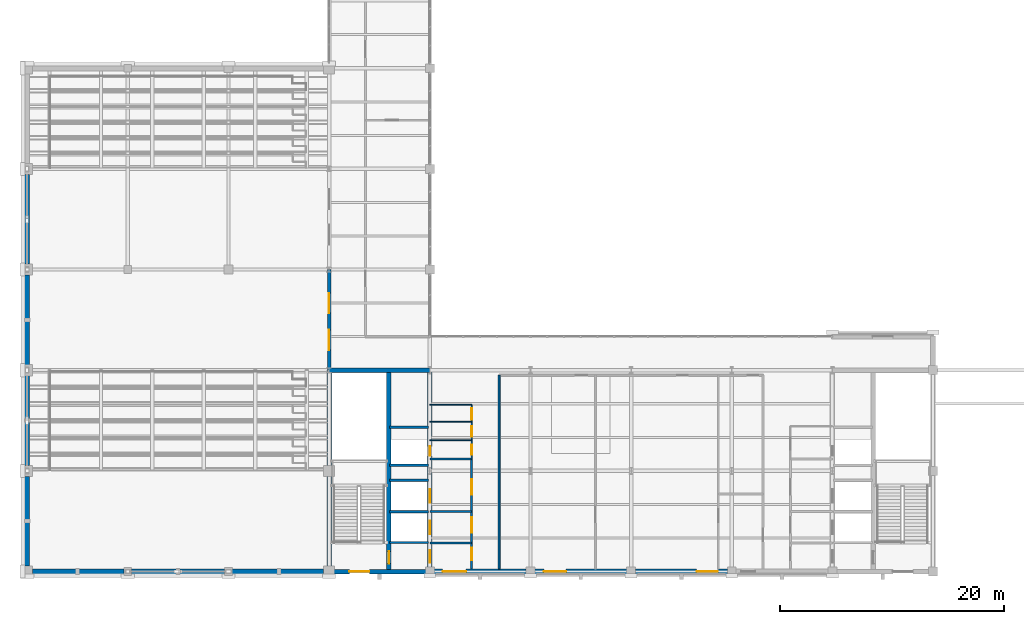
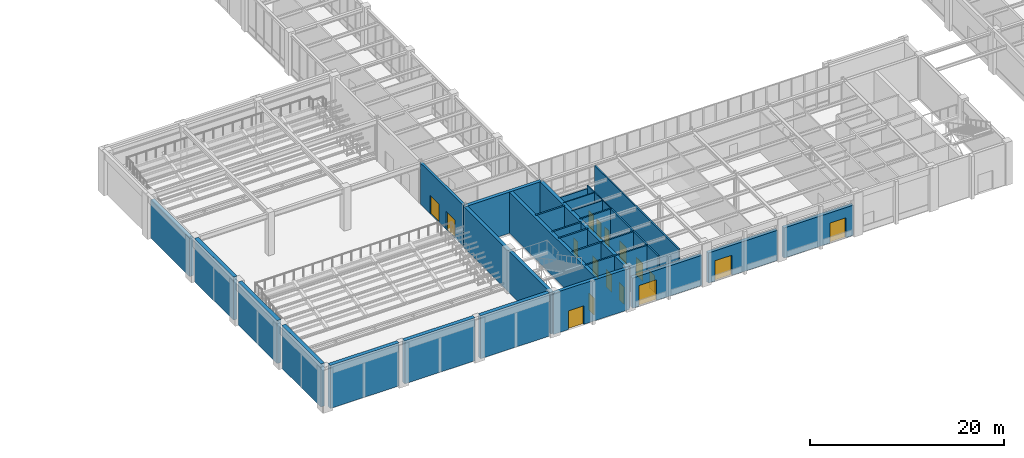
# One storey, part 61 of 77: 30 walls, 17 doors, 17 openings.
"""IFC4 building model written with IfcOpenShell, lengths in metres."""

from ifc_helpers import new_model, si_unit, direction, frame, frame_2d, origin, place, context, subcontext, project, spatial, rectangle, extrude, material, layer, layer_set, type_object, element, fill, save


model = new_model("IFC4")

# Units and contexts
model_context = context("Model", 3, precision=1e-05, world=origin(), true_north=direction((0.0, 1.0)))
body_context = subcontext(model_context, "Body", "Model", "MODEL_VIEW")
ifc_project = project(units=[si_unit("LENGTHUNIT", "METRE"), si_unit("AREAUNIT", "SQUARE_METRE"), si_unit("VOLUMEUNIT", "CUBIC_METRE"), si_unit("PLANEANGLEUNIT", "RADIAN"), si_unit("MASSUNIT", "GRAM", prefix="KILO")], contexts=[model_context])

# Site, building, storey
site_placement = place(None, origin())
site = spatial("IfcSite", under=ifc_project, at=site_placement, CompositionType="ELEMENT")
building_placement = place(site_placement, origin())
building = spatial("IfcBuilding", under=site, at=building_placement, Name="Lykobir Media Centre", CompositionType="ELEMENT")
storey_placement = place(building_placement, origin())
storey = spatial("IfcBuildingStorey", under=building, at=storey_placement, Name="L00", CompositionType="ELEMENT", Elevation=0.0)

# Walls
ifc_material_1 = material(Name="Concrete C35/45", Category="concrete")
ifc_layer_1 = layer(ifc_material_1, 0.4599609375, Name="Concrete C35/45")
ifc_layer_set_1 = layer_set([ifc_layer_1], Name="Concrete C35/45")
wall_type_1 = type_object("IfcWallType", Name="EW-ACO-460", PredefinedType="STANDARD", material=ifc_layer_set_1)
wall_1_placement = place(storey_placement, frame((0.0, 35.514892578125, 0.0), z_axis=(0.0, 0.0, 1.0), x_axis=(0.0, -1.0, 0.0)))
element("IfcWall", 1, at=wall_1_placement, inside=storey, type_object=wall_type_1, Name="Exterior wall WALL-L00-0114", PredefinedType="STANDARD", context=body_context, shape_type="SweptSolid", body=[
    extrude(rectangle(XDim=8.02978515625, YDim=0.4599609375, at=frame_2d((4.014892578125, 0.0))), origin(), (0.0, 0.0, 1.0), 4.794921875),
])
for number, where, z_axis, x_axis, name in (
    (2, (0.0, 8.514892578125, 0.0), (0.0, 0.0, 1.0), (0.0, -1.0, 0.0), "Exterior wall WALL-L00-0116"),
    (3, (0.0, 17.514892578125, 0.0), (0.0, 0.0, 1.0), (0.0, -1.0, 0.0), "Exterior wall WALL-L00-0117"),
    (4, (0.0, 26.514892578125, 0.0), (0.0, 0.0, 1.0), (0.0, -1.0, 0.0), "Exterior wall WALL-L00-0118"),
):
    element("IfcWall", number, at=place(storey_placement, frame(where, z_axis=z_axis, x_axis=x_axis)), inside=storey, type_object=wall_type_1, Name=name, PredefinedType="STANDARD", context=body_context, shape_type="SweptSolid", body=[
        extrude(rectangle(XDim=8.02978515625, YDim=0.4599609375, at=frame_2d((4.014892578125, 0.0))), origin(), (0.0, 0.0, 1.0), 5.39990234375),
    ])
wall_2_placement = place(storey_placement, frame((0.485107421875, 0.0, 0.0), z_axis=(0.0, 0.0, 1.0), x_axis=(1.0, 0.0, 0.0)))
element("IfcWall", 5, at=wall_2_placement, inside=storey, type_object=wall_type_1, Name="Exterior wall WALL-L00-0119", PredefinedType="STANDARD", context=body_context, shape_type="SweptSolid", body=[
    extrude(rectangle(XDim=8.179931640625, YDim=0.4599609375, at=frame_2d((4.08984375, 0.0))), origin(), (0.0, 0.0, 1.0), 5.39990234375),
])
wall_3_placement = place(storey_placement, frame((9.3349609375, 0.0, 0.0), z_axis=(0.0, 0.0, 1.0), x_axis=(1.0, 0.0, 0.0)))
element("IfcWall", 6, at=wall_3_placement, inside=storey, type_object=wall_type_1, Name="Exterior wall WALL-L00-0120", PredefinedType="STANDARD", context=body_context, shape_type="SweptSolid", body=[
    extrude(rectangle(XDim=8.330078125, YDim=0.4599609375, at=frame_2d((4.1650390625, 0.0))), origin(), (0.0, 0.0, 1.0), 5.39990234375),
])
wall_4_placement = place(storey_placement, frame((18.3349609375, 0.0, 0.0), z_axis=(0.0, 0.0, 1.0), x_axis=(1.0, 0.0, 0.0)))
element("IfcWall", 7, at=wall_4_placement, inside=storey, type_object=wall_type_1, Name="Exterior wall WALL-L00-0121", PredefinedType="STANDARD", context=body_context, shape_type="SweptSolid", body=[
    extrude(rectangle(XDim=8.179931640625, YDim=0.4599609375, at=frame_2d((4.08984375, 0.0))), origin(), (0.0, 0.0, 1.0), 5.39990234375),
])

# Wall, opening, door
ifc_material_2 = material(Name="Honed Travertine Stone", Category="masonry")
ifc_layer_2 = layer(ifc_material_2, 0.419921875, Name="Honed Travertine Stone")
ifc_layer_set_2 = layer_set([ifc_layer_2], Name="Honed Travertine Stone")
wall_type_2 = type_object("IfcWallType", Name="EW-TRAV-420", PredefinedType="STANDARD", material=ifc_layer_set_2)
wall_5_placement = place(storey_placement, frame((36.385009765625, 0.0, 0.0), z_axis=(0.0, 0.0, 1.0), x_axis=(1.0, 0.0, 0.0)))
wall_5 = element("IfcWall", 8, at=wall_5_placement, inside=storey, type_object=wall_type_2, Name="Exterior wall WALL-L00-0122", PredefinedType="STANDARD", context=body_context, shape_type="SweptSolid", body=[
    extrude(rectangle(XDim=8.22998046875, YDim=0.419921875, at=frame_2d((4.114990234375, 0.0))), origin(), (0.0, 0.0, 1.0), 3.7900390625),
])
opening_1_placement = place(wall_5_placement, frame((0.764892578125, 0.0, 0.0)))
opening_1 = element("IfcOpeningElement", 9, at=opening_1_placement, cuts=wall_5, Name="Opening D-L00-E01", PredefinedType="OPENING", context=body_context, shape_type="SweptSolid", body=[
    extrude(rectangle(XDim=2.10009765625, YDim=2.60009765625, at=frame_2d((1.050048828125, 1.300048828125))), frame((0.0, 0.219970703125, 0.0), z_axis=(0.0, -1.0, 0.0), x_axis=(1.0, 0.0, 0.0)), (0.0, 0.0, 1.0), 0.43994140625),
])
ifc_material_3 = material(Name="Anodized Aluminium AW-6060", Category="aluminium")
door_type_1 = type_object("IfcDoorType", Name="ED-2100x2600", OperationType="NOTDEFINED", PredefinedType="DOOR", material=ifc_material_3)
door_1_placement = place(opening_1_placement, frame((2.10009765625, 0.0, 0.0), z_axis=(0.0, 0.0, 1.0), x_axis=(-1.0, 0.0, 0.0)))
door_1 = element("IfcDoor", 10, at=door_1_placement, inside=storey, type_object=door_type_1, Name="South Avenue main foyer entrance 1", OperationType="DOUBLE_DOOR_SINGLE_SWING", OverallHeight=2.60009765625, OverallWidth=2.10009765625, PredefinedType="DOOR", context=body_context, shape_type="SweptSolid", body=[
    extrude(rectangle(XDim=2.10009765625, YDim=2.60009765625, at=frame_2d((1.050048828125, 1.300048828125))), frame((0.0, 0.02490234375, 0.0), z_axis=(0.0, -1.0, 0.0), x_axis=(1.0, 0.0, 0.0)), (0.0, 0.0, 1.0), 0.050048828125),
])
fill(opening_1, door_1)

wall_6_placement = place(storey_placement, frame((45.385009765625, 0.0, 0.0), z_axis=(0.0, 0.0, 1.0), x_axis=(1.0, 0.0, 0.0)))
wall_6 = element("IfcWall", 11, at=wall_6_placement, inside=storey, type_object=wall_type_2, Name="Exterior wall WALL-L00-0123", PredefinedType="STANDARD", context=body_context, shape_type="SweptSolid", body=[
    extrude(rectangle(XDim=8.22998046875, YDim=0.419921875, at=frame_2d((4.114990234375, 0.0))), origin(), (0.0, 0.0, 1.0), 3.7900390625),
])
opening_2_placement = place(wall_6_placement, frame((0.81494140625, 0.0, 0.0)))
opening_2 = element("IfcOpeningElement", 12, at=opening_2_placement, cuts=wall_6, Name="Opening D-L00-E02", PredefinedType="OPENING", context=body_context, shape_type="SweptSolid", body=[
    extrude(rectangle(XDim=2.0, YDim=2.550048828125, at=frame_2d((1.0, 1.27490234375))), frame((0.0, 0.219970703125, 0.0), z_axis=(0.0, -1.0, 0.0), x_axis=(1.0, 0.0, 0.0)), (0.0, 0.0, 1.0), 0.43994140625),
])
door_type_2 = type_object("IfcDoorType", Name="ED-2000x2550", OperationType="NOTDEFINED", PredefinedType="DOOR", material=ifc_material_3)
door_2_placement = place(opening_2_placement, frame((2.0, 0.0, 0.0), z_axis=(0.0, 0.0, 1.0), x_axis=(-1.0, 0.0, 0.0)))
door_2 = element("IfcDoor", 13, at=door_2_placement, inside=storey, type_object=door_type_2, Name="South Avenue main foyer entrance 2", OperationType="DOUBLE_DOOR_SINGLE_SWING", OverallHeight=2.550048828125, OverallWidth=2.0, PredefinedType="DOOR", context=body_context, shape_type="SweptSolid", body=[
    extrude(rectangle(XDim=2.0, YDim=2.550048828125, at=frame_2d((1.0, 1.27490234375))), frame((0.0, 0.02490234375, 0.0), z_axis=(0.0, -1.0, 0.0), x_axis=(1.0, 0.0, 0.0)), (0.0, 0.0, 1.0), 0.050048828125),
])
fill(opening_2, door_2)

wall_7_placement = place(storey_placement, frame((54.385009765625, 0.0, 0.0), z_axis=(0.0, 0.0, 1.0), x_axis=(1.0, 0.0, 0.0)))
wall_7 = element("IfcWall", 14, at=wall_7_placement, inside=storey, type_object=wall_type_2, Name="Exterior wall WALL-L00-0124", PredefinedType="STANDARD", context=body_context, shape_type="SweptSolid", body=[
    extrude(rectangle(XDim=8.22998046875, YDim=0.419921875, at=frame_2d((4.114990234375, 0.0))), origin(), (0.0, 0.0, 1.0), 3.7900390625),
])
opening_3_placement = place(wall_7_placement, frame((5.465087890625, 0.0, 0.0)))
opening_3 = element("IfcOpeningElement", 15, at=opening_3_placement, cuts=wall_7, Name="Opening D-L00-E03", PredefinedType="OPENING", context=body_context, shape_type="SweptSolid", body=[
    extrude(rectangle(XDim=1.89990234375, YDim=2.5, at=frame_2d((0.949951171875, 1.25))), frame((0.0, 0.219970703125, 0.0), z_axis=(0.0, -1.0, 0.0), x_axis=(1.0, 0.0, 0.0)), (0.0, 0.0, 1.0), 0.43994140625),
])
door_type_3 = type_object("IfcDoorType", Name="ED-1900x2500", OperationType="NOTDEFINED", PredefinedType="DOOR", material=ifc_material_3)
door_3_placement = place(opening_3_placement, frame((1.89990234375, 0.0, 0.0), z_axis=(0.0, 0.0, 1.0), x_axis=(-1.0, 0.0, 0.0)))
door_3 = element("IfcDoor", 16, at=door_3_placement, inside=storey, type_object=door_type_3, Name="South Avenue main foyer entrance 3", OperationType="DOUBLE_DOOR_SINGLE_SWING", OverallHeight=2.5, OverallWidth=1.89990234375, PredefinedType="DOOR", context=body_context, shape_type="SweptSolid", body=[
    extrude(rectangle(XDim=1.89990234375, YDim=2.5, at=frame_2d((0.949951171875, 1.25))), frame((0.0, 0.02490234375, 0.0), z_axis=(0.0, -1.0, 0.0), x_axis=(1.0, 0.0, 0.0)), (0.0, 0.0, 1.0), 0.050048828125),
])
fill(opening_3, door_3)

# Wall
ifc_material_4 = material(Name="Acoustic Gypsum Board", Category="gypsum")
ifc_layer_3 = layer(ifc_material_4, 0.159912109375, Name="Acoustic Gypsum Board")
ifc_layer_set_3 = layer_set([ifc_layer_3], Name="Acoustic Gypsum Board")
wall_type_3 = type_object("IfcWallType", Name="IW-COR-160", PredefinedType="PARTITIONING", material=ifc_layer_set_3)
wall_8_placement = place(storey_placement, frame((42.199951171875, 0.219970703125, 0.0), z_axis=(0.0, 0.0, 1.0), x_axis=(0.0, 1.0, 0.0)))
element("IfcWall", 17, at=wall_8_placement, inside=storey, type_object=wall_type_3, Name="Wall IWALL-L00-0654", PredefinedType="PARTITIONING", context=body_context, shape_type="SweptSolid", body=[
    extrude(rectangle(XDim=17.330078125, YDim=0.159912109375, at=frame_2d((8.6650390625, 0.0))), origin(), (0.0, 0.0, 1.0), 5.159912109375),
])

# Wall, openings, doors
ifc_layer_4 = layer(ifc_material_4, 0.179931640625, Name="Acoustic Gypsum Board")
ifc_layer_set_4 = layer_set([ifc_layer_4], Name="Acoustic Gypsum Board")
wall_type_4 = type_object("IfcWallType", Name="IW-FFLOB-180", PredefinedType="PARTITIONING", material=ifc_layer_set_4)
wall_9_placement = place(storey_placement, frame((39.75, 0.219970703125, 0.0), z_axis=(0.0, 0.0, 1.0), x_axis=(0.0, 1.0, 0.0)))
wall_9 = element("IfcWall", 18, at=wall_9_placement, inside=storey, type_object=wall_type_4, Name="Wall IWALL-L00-0029", PredefinedType="PARTITIONING", context=body_context, shape_type="SweptSolid", body=[
    extrude(rectangle(XDim=9.830078125, YDim=0.179931640625, at=frame_2d((4.9150390625, 0.0))), origin(), (0.0, 0.0, 1.0), 5.159912109375),
])
opening_4_placement = place(wall_9_placement, frame((0.800048828125, 0.0, 0.0)))
opening_4 = element("IfcOpeningElement", 19, at=opening_4_placement, cuts=wall_9, Name="Opening D-L00-C1LV", PredefinedType="OPENING", context=body_context, shape_type="SweptSolid", body=[
    extrude(rectangle(XDim=1.10009765625, YDim=2.159912109375, at=frame_2d((0.550048828125, 1.080078125))), frame((0.0, 0.099853515625, 0.0), z_axis=(0.0, -1.0, 0.0), x_axis=(1.0, 0.0, 0.0)), (0.0, 0.0, 1.0), 0.199951171875),
])
opening_5_placement = place(wall_9_placement, frame((3.25, 0.0, 0.0)))
opening_5 = element("IfcOpeningElement", 20, at=opening_5_placement, cuts=wall_9, Name="Opening D-L00-C1PL", PredefinedType="OPENING", context=body_context, shape_type="SweptSolid", body=[
    extrude(rectangle(XDim=1.39990234375, YDim=2.199951171875, at=frame_2d((0.699951171875, 1.10009765625))), frame((0.0, 0.099853515625, 0.0), z_axis=(0.0, -1.0, 0.0), x_axis=(1.0, 0.0, 0.0)), (0.0, 0.0, 1.0), 0.199951171875),
])
opening_6_placement = place(wall_9_placement, frame((6.64990234375, 0.0, 0.0)))
opening_6 = element("IfcOpeningElement", 21, at=opening_6_placement, cuts=wall_9, Name="Opening D-L00-C1FF", PredefinedType="OPENING", context=body_context, shape_type="SweptSolid", body=[
    extrude(rectangle(XDim=1.39990234375, YDim=2.199951171875, at=frame_2d((0.699951171875, 1.10009765625))), frame((0.0, 0.099853515625, 0.0), z_axis=(0.0, -1.0, 0.0), x_axis=(1.0, 0.0, 0.0)), (0.0, 0.0, 1.0), 0.199951171875),
])
ifc_material_5 = material(Name="Acoustic Timber Panelling", Category="wood")
door_type_4 = type_object("IfcDoorType", Name="FD-1100x2160", OperationType="NOTDEFINED", PredefinedType="DOOR", material=ifc_material_5)
door_4_placement = place(opening_4_placement, origin())
door_4 = element("IfcDoor", 22, at=door_4_placement, inside=storey, type_object=door_type_4, Name="Door D-L00-C1LV", OperationType="SINGLE_SWING_LEFT", OverallHeight=2.159912109375, OverallWidth=1.10009765625, PredefinedType="DOOR", context=body_context, shape_type="SweptSolid", body=[
    extrude(rectangle(XDim=1.10009765625, YDim=2.159912109375, at=frame_2d((0.550048828125, 1.080078125))), frame((0.0, 0.02490234375, 0.0), z_axis=(0.0, -1.0, 0.0), x_axis=(1.0, 0.0, 0.0)), (0.0, 0.0, 1.0), 0.050048828125),
])
fill(opening_4, door_4)
door_type_5 = type_object("IfcDoorType", Name="FD-1400x2200", OperationType="NOTDEFINED", PredefinedType="DOOR", material=ifc_material_5)
door_5_placement = place(opening_5_placement, origin())
door_5 = element("IfcDoor", 23, at=door_5_placement, inside=storey, type_object=door_type_5, Name="Door D-L00-C1PL", OperationType="DOUBLE_DOOR_SINGLE_SWING", OverallHeight=2.199951171875, OverallWidth=1.39990234375, PredefinedType="DOOR", context=body_context, shape_type="SweptSolid", body=[
    extrude(rectangle(XDim=1.39990234375, YDim=2.199951171875, at=frame_2d((0.699951171875, 1.10009765625))), frame((0.0, 0.02490234375, 0.0), z_axis=(0.0, -1.0, 0.0), x_axis=(1.0, 0.0, 0.0)), (0.0, 0.0, 1.0), 0.050048828125),
])
fill(opening_5, door_5)
door_6_placement = place(opening_6_placement, origin())
door_6 = element("IfcDoor", 24, at=door_6_placement, inside=storey, type_object=door_type_5, Name="Door D-L00-C1FF", OperationType="DOUBLE_DOOR_SINGLE_SWING", OverallHeight=2.199951171875, OverallWidth=1.39990234375, PredefinedType="DOOR", context=body_context, shape_type="SweptSolid", body=[
    extrude(rectangle(XDim=1.39990234375, YDim=2.199951171875, at=frame_2d((0.699951171875, 1.10009765625))), frame((0.0, 0.02490234375, 0.0), z_axis=(0.0, -1.0, 0.0), x_axis=(1.0, 0.0, 0.0)), (0.0, 0.0, 1.0), 0.050048828125),
])
fill(opening_6, door_6)

# Walls
for number, where, z_axis, x_axis, name in (
    (25, (36.0, 2.550048828125, 0.0), (0.0, 0.0, 1.0), (1.0, 0.0, 0.0), "Wall IWALL-L00-0030"),
    (26, (36.0, 5.35009765625, 0.0), (0.0, 0.0, 1.0), (1.0, 0.0, 0.0), "Wall IWALL-L00-0031"),
    (27, (36.0, 10.050048828125, 0.0), (0.0, 0.0, 1.0), (1.0, 0.0, 0.0), "Wall IWALL-L00-0032"),
):
    element("IfcWall", number, at=place(storey_placement, frame(where, z_axis=z_axis, x_axis=x_axis)), inside=storey, type_object=wall_type_4, Name=name, PredefinedType="PARTITIONING", context=body_context, shape_type="SweptSolid", body=[
        extrude(rectangle(XDim=3.75, YDim=0.179931640625, at=frame_2d((1.875, 0.0))), origin(), (0.0, 0.0, 1.0), 5.159912109375),
    ])
ifc_material_6 = material(Name="Concrete C30/37", Category="concrete")
ifc_layer_5 = layer(ifc_material_6, 0.199951171875, Name="Concrete C30/37")
ifc_layer_set_5 = layer_set([ifc_layer_5], Name="Concrete C30/37")
wall_type_5 = type_object("IfcWallType", Name="IW-SHAFT-200", PredefinedType="PARTITIONING", material=ifc_layer_set_5)
for number, where, z_axis, x_axis, name in (
    (28, (32.39990234375, 2.60009765625, 0.0), (0.0, 0.0, 1.0), (1.0, 0.0, 0.0), "Wall IWALL-L00-0024"),
    (29, (32.39990234375, 5.35009765625, 0.0), (0.0, 0.0, 1.0), (1.0, 0.0, 0.0), "Wall IWALL-L00-0025"),
    (30, (32.39990234375, 8.14990234375, 0.0), (0.0, 0.0, 1.0), (1.0, 0.0, 0.0), "Wall IWALL-L00-0026"),
    (31, (32.39990234375, 9.5, 0.0), (0.0, 0.0, 1.0), (1.0, 0.0, 0.0), "Wall IWALL-L00-0027"),
    (32, (32.39990234375, 12.89990234375, 0.0), (0.0, 0.0, 1.0), (1.0, 0.0, 0.0), "Wall IWALL-L00-0028"),
):
    element("IfcWall", number, at=place(storey_placement, frame(where, z_axis=z_axis, x_axis=x_axis)), inside=storey, type_object=wall_type_5, Name=name, PredefinedType="PARTITIONING", context=body_context, shape_type="SweptSolid", body=[
        extrude(rectangle(XDim=3.5, YDim=0.199951171875, at=frame_2d((1.75, 0.0))), origin(), (0.0, 0.0, 1.0), 5.159912109375),
    ])

# Wall, openings, doors
ifc_layer_6 = layer(ifc_material_4, 0.094970703125, Name="Acoustic Gypsum Board")
ifc_layer_set_6 = layer_set([ifc_layer_6], Name="Acoustic Gypsum Board")
wall_type_6 = type_object("IfcWallType", Name="IW-WC-095", PredefinedType="PARTITIONING", material=ifc_layer_set_6)
wall_10_placement = place(storey_placement, frame((39.75, 10.050048828125, 0.0), z_axis=(0.0, 0.0, 1.0), x_axis=(0.0, 1.0, 0.0)))
wall_10 = element("IfcWall", 33, at=wall_10_placement, inside=storey, type_object=wall_type_6, Name="Wall IWALL-L00-0033", PredefinedType="PARTITIONING", context=body_context, shape_type="SweptSolid", body=[
    extrude(rectangle(XDim=4.849853515625, YDim=0.094970703125, at=frame_2d((2.4248046875, 0.0))), origin(), (0.0, 0.0, 1.0), 5.159912109375),
])
opening_7_placement = place(wall_10_placement, frame((0.3798828125, 0.0, 0.0)))
opening_7 = element("IfcOpeningElement", 34, at=opening_7_placement, cuts=wall_10, Name="Opening D-L00-WCM", PredefinedType="OPENING", context=body_context, shape_type="SweptSolid", body=[
    extrude(rectangle(XDim=0.919921875, YDim=2.10009765625, at=frame_2d((0.4599609375, 1.050048828125))), frame((0.0, 0.057373046875, 0.0), z_axis=(0.0, -1.0, 0.0), x_axis=(1.0, 0.0, 0.0)), (0.0, 0.0, 1.0), 0.114990234375),
])
opening_8_placement = place(wall_10_placement, frame((2.02001953125, 0.0, 0.0)))
opening_8 = element("IfcOpeningElement", 35, at=opening_8_placement, cuts=wall_10, Name="Opening D-L00-WCF", PredefinedType="OPENING", context=body_context, shape_type="SweptSolid", body=[
    extrude(rectangle(XDim=0.919921875, YDim=2.10009765625, at=frame_2d((0.4599609375, 1.050048828125))), frame((0.0, 0.057373046875, 0.0), z_axis=(0.0, -1.0, 0.0), x_axis=(1.0, 0.0, 0.0)), (0.0, 0.0, 1.0), 0.114990234375),
])
opening_9_placement = place(wall_10_placement, frame((3.52001953125, 0.0, 0.0)))
opening_9 = element("IfcOpeningElement", 36, at=opening_9_placement, cuts=wall_10, Name="Opening D-L00-WCA1", PredefinedType="OPENING", context=body_context, shape_type="SweptSolid", body=[
    extrude(rectangle(XDim=1.050048828125, YDim=2.1298828125, at=frame_2d((0.52490234375, 1.06494140625))), frame((0.0, 0.057373046875, 0.0), z_axis=(0.0, -1.0, 0.0), x_axis=(1.0, 0.0, 0.0)), (0.0, 0.0, 1.0), 0.114990234375),
])
door_type_6 = type_object("IfcDoorType", Name="ID-0920x2100", OperationType="NOTDEFINED", PredefinedType="DOOR", material=ifc_material_5)
door_7_placement = place(opening_7_placement, origin())
door_7 = element("IfcDoor", 37, at=door_7_placement, inside=storey, type_object=door_type_6, Name="Door D-L00-WCM", OperationType="SINGLE_SWING_RIGHT", OverallHeight=2.10009765625, OverallWidth=0.919921875, PredefinedType="DOOR", context=body_context, shape_type="SweptSolid", body=[
    extrude(rectangle(XDim=0.919921875, YDim=2.10009765625, at=frame_2d((0.4599609375, 1.050048828125))), frame((0.0, 0.02490234375, 0.0), z_axis=(0.0, -1.0, 0.0), x_axis=(1.0, 0.0, 0.0)), (0.0, 0.0, 1.0), 0.050048828125),
])
fill(opening_7, door_7)
door_8_placement = place(opening_8_placement, origin())
door_8 = element("IfcDoor", 38, at=door_8_placement, inside=storey, type_object=door_type_6, Name="Door D-L00-WCF", OperationType="SINGLE_SWING_LEFT", OverallHeight=2.10009765625, OverallWidth=0.919921875, PredefinedType="DOOR", context=body_context, shape_type="SweptSolid", body=[
    extrude(rectangle(XDim=0.919921875, YDim=2.10009765625, at=frame_2d((0.4599609375, 1.050048828125))), frame((0.0, 0.02490234375, 0.0), z_axis=(0.0, -1.0, 0.0), x_axis=(1.0, 0.0, 0.0)), (0.0, 0.0, 1.0), 0.050048828125),
])
fill(opening_8, door_8)
door_type_7 = type_object("IfcDoorType", Name="ID-1050x2130", OperationType="NOTDEFINED", PredefinedType="DOOR", material=ifc_material_5)
door_9_placement = place(opening_9_placement, origin())
door_9 = element("IfcDoor", 39, at=door_9_placement, inside=storey, type_object=door_type_7, Name="Door D-L00-WCA1", OperationType="SINGLE_SWING_RIGHT", OverallHeight=2.1298828125, OverallWidth=1.050048828125, PredefinedType="DOOR", context=body_context, shape_type="SweptSolid", body=[
    extrude(rectangle(XDim=1.050048828125, YDim=2.1298828125, at=frame_2d((0.52490234375, 1.06494140625))), frame((0.0, 0.02490234375, 0.0), z_axis=(0.0, -1.0, 0.0), x_axis=(1.0, 0.0, 0.0)), (0.0, 0.0, 1.0), 0.050048828125),
])
fill(opening_9, door_9)

# Walls
for number, where, z_axis, x_axis, name in (
    (40, (36.0, 11.719970703125, 0.0), (0.0, 0.0, 1.0), (1.0, 0.0, 0.0), "Wall IWALL-L00-0034"),
    (41, (36.0, 13.3798828125, 0.0), (0.0, 0.0, 1.0), (1.0, 0.0, 0.0), "Wall IWALL-L00-0035"),
):
    element("IfcWall", number, at=place(storey_placement, frame(where, z_axis=z_axis, x_axis=x_axis)), inside=storey, type_object=wall_type_6, Name=name, PredefinedType="PARTITIONING", context=body_context, shape_type="SweptSolid", body=[
        extrude(rectangle(XDim=3.75, YDim=0.094970703125, at=frame_2d((1.875, 0.0))), origin(), (0.0, 0.0, 1.0), 5.159912109375),
    ])
wall_11_placement = place(storey_placement, frame((36.0, 14.89990234375, 0.0), z_axis=(0.0, 0.0, 1.0), x_axis=(1.0, 0.0, 0.0)))
element("IfcWall", 42, at=wall_11_placement, inside=storey, type_object=wall_type_6, Name="Wall IWALL-L00-0036", PredefinedType="PARTITIONING", context=body_context, shape_type="SweptSolid", body=[
    extrude(rectangle(XDim=3.75, YDim=0.094970703125, at=frame_2d((1.875, 0.0))), origin(), (0.0, 0.0, 1.0), 4.7451171875),
])

# Wall, openings, doors
ifc_material_7 = material(Name="Concrete C40/50", Category="concrete")
ifc_layer_7 = layer(ifc_material_7, 0.300048828125, Name="Concrete C40/50")
ifc_layer_set_7 = layer_set([ifc_layer_7], Name="Concrete C40/50")
wall_type_7 = type_object("IfcWallType", Name="SW-COMP-300", PredefinedType="SHEAR", material=ifc_layer_set_7)
wall_12_placement = place(storey_placement, frame((27.0, 18.0, 0.0), z_axis=(0.0, 0.0, 1.0), x_axis=(0.0, 1.0, 0.0)))
wall_12 = element("IfcWall", 43, at=wall_12_placement, inside=storey, type_object=wall_type_7, Name="Wall IWALL-L00-0662", PredefinedType="SHEAR", context=body_context, shape_type="SweptSolid", body=[
    extrude(rectangle(XDim=9.0, YDim=0.300048828125, at=frame_2d((4.5, 0.0))), origin(), (0.0, 0.0, 1.0), 5.159912109375),
])
opening_10_placement = place(wall_12_placement, frame((1.800048828125, 0.0, 0.0)))
opening_10 = element("IfcOpeningElement", 44, at=opening_10_placement, cuts=wall_12, Name="Opening D-L00-SCR1A", PredefinedType="OPENING", context=body_context, shape_type="SweptSolid", body=[
    extrude(rectangle(XDim=1.800048828125, YDim=2.280029296875, at=frame_2d((0.89990234375, 1.14013671875))), frame((0.0, 0.159912109375, 0.0), z_axis=(0.0, -1.0, 0.0), x_axis=(1.0, 0.0, 0.0)), (0.0, 0.0, 1.0), 0.320068359375),
])
opening_11_placement = place(wall_12_placement, frame((5.10009765625, 0.0, 0.0)))
opening_11 = element("IfcOpeningElement", 45, at=opening_11_placement, cuts=wall_12, Name="Opening D-L00-SCR1B", PredefinedType="OPENING", context=body_context, shape_type="SweptSolid", body=[
    extrude(rectangle(XDim=1.800048828125, YDim=2.280029296875, at=frame_2d((0.89990234375, 1.14013671875))), frame((0.0, 0.159912109375, 0.0), z_axis=(0.0, -1.0, 0.0), x_axis=(1.0, 0.0, 0.0)), (0.0, 0.0, 1.0), 0.320068359375),
])
door_type_8 = type_object("IfcDoorType", Name="FD-1800x2280", OperationType="NOTDEFINED", PredefinedType="DOOR", material=ifc_material_5)
door_10_placement = place(opening_10_placement, origin())
door_10 = element("IfcDoor", 46, at=door_10_placement, inside=storey, type_object=door_type_8, Name="Door D-L00-SCR1A", OperationType="DOUBLE_DOOR_SINGLE_SWING", OverallHeight=2.280029296875, OverallWidth=1.800048828125, PredefinedType="DOOR", context=body_context, shape_type="SweptSolid", body=[
    extrude(rectangle(XDim=1.800048828125, YDim=2.280029296875, at=frame_2d((0.89990234375, 1.14013671875))), frame((0.0, 0.02490234375, 0.0), z_axis=(0.0, -1.0, 0.0), x_axis=(1.0, 0.0, 0.0)), (0.0, 0.0, 1.0), 0.050048828125),
])
fill(opening_10, door_10)
door_11_placement = place(opening_11_placement, origin())
door_11 = element("IfcDoor", 47, at=door_11_placement, inside=storey, type_object=door_type_8, Name="Door D-L00-SCR1B", OperationType="DOUBLE_DOOR_SINGLE_SWING", OverallHeight=2.280029296875, OverallWidth=1.800048828125, PredefinedType="DOOR", context=body_context, shape_type="SweptSolid", body=[
    extrude(rectangle(XDim=1.800048828125, YDim=2.280029296875, at=frame_2d((0.89990234375, 1.14013671875))), frame((0.0, 0.02490234375, 0.0), z_axis=(0.0, -1.0, 0.0), x_axis=(1.0, 0.0, 0.0)), (0.0, 0.0, 1.0), 0.050048828125),
])
fill(opening_11, door_11)

ifc_layer_8 = layer(ifc_material_7, 0.39990234375, Name="Concrete C40/50")
ifc_layer_set_8 = layer_set([ifc_layer_8], Name="Concrete C40/50")
wall_type_8 = type_object("IfcWallType", Name="SW-CORE-400", PredefinedType="SHEAR", material=ifc_layer_set_8)
wall_13_placement = place(storey_placement, frame((36.0, 0.0, 0.0), z_axis=(0.0, 0.0, 1.0), x_axis=(0.0, 1.0, 0.0)))
wall_13 = element("IfcWall", 48, at=wall_13_placement, inside=storey, type_object=wall_type_8, Name="Wall IWALL-L00-0020", PredefinedType="SHEAR", context=body_context, shape_type="SweptSolid", body=[
    extrude(rectangle(XDim=18.0, YDim=0.39990234375, at=frame_2d((9.0, 0.0))), origin(), (0.0, 0.0, 1.0), 5.159912109375),
])
opening_12_placement = place(wall_13_placement, frame((0.800048828125, 0.0, 0.0)))
opening_12 = element("IfcOpeningElement", 49, at=opening_12_placement, cuts=wall_13, Name="Opening D-L00-C1VB", PredefinedType="OPENING", context=body_context, shape_type="SweptSolid", body=[
    extrude(rectangle(XDim=1.10009765625, YDim=2.159912109375, at=frame_2d((0.550048828125, 1.080078125))), frame((0.0, 0.2099609375, 0.0), z_axis=(0.0, -1.0, 0.0), x_axis=(1.0, 0.0, 0.0)), (0.0, 0.0, 1.0), 0.419921875),
])
opening_13_placement = place(wall_13_placement, frame((3.35009765625, 0.0, 0.0)))
opening_13 = element("IfcOpeningElement", 50, at=opening_13_placement, cuts=wall_13, Name="Opening LD-L00-PL-1", PredefinedType="OPENING", context=body_context, shape_type="SweptSolid", body=[
    extrude(rectangle(XDim=1.199951171875, YDim=2.199951171875, at=frame_2d((0.60009765625, 1.10009765625))), frame((0.0, 0.2099609375, 0.0), z_axis=(0.0, -1.0, 0.0), x_axis=(1.0, 0.0, 0.0)), (0.0, 0.0, 1.0), 0.419921875),
])
opening_14_placement = place(wall_13_placement, frame((6.14990234375, 0.0, 0.0)))
opening_14 = element("IfcOpeningElement", 51, at=opening_14_placement, cuts=wall_13, Name="Opening LD-L00-FL-1", PredefinedType="OPENING", context=body_context, shape_type="SweptSolid", body=[
    extrude(rectangle(XDim=1.199951171875, YDim=2.199951171875, at=frame_2d((0.60009765625, 1.10009765625))), frame((0.0, 0.2099609375, 0.0), z_axis=(0.0, -1.0, 0.0), x_axis=(1.0, 0.0, 0.0)), (0.0, 0.0, 1.0), 0.419921875),
])
opening_15_placement = place(wall_13_placement, frame((10.35009765625, 0.0, 0.0)))
opening_15 = element("IfcOpeningElement", 52, at=opening_15_placement, cuts=wall_13, Name="Opening D-L00-C1RS", PredefinedType="OPENING", context=body_context, shape_type="SweptSolid", body=[
    extrude(rectangle(XDim=0.85009765625, YDim=2.10009765625, at=frame_2d((0.425048828125, 1.050048828125))), frame((0.0, 0.2099609375, 0.0), z_axis=(0.0, -1.0, 0.0), x_axis=(1.0, 0.0, 0.0)), (0.0, 0.0, 1.0), 0.419921875),
])
door_type_9 = type_object("IfcDoorType", Name="FD-0850x2100", OperationType="NOTDEFINED", PredefinedType="DOOR", material=ifc_material_3)
door_12_placement = place(opening_15_placement, origin())
door_12 = element("IfcDoor", 53, at=door_12_placement, inside=storey, type_object=door_type_9, Name="Riser access door C1 L00", OperationType="SINGLE_SWING_RIGHT", OverallHeight=2.10009765625, OverallWidth=0.85009765625, PredefinedType="DOOR", context=body_context, shape_type="SweptSolid", body=[
    extrude(rectangle(XDim=0.85009765625, YDim=2.10009765625, at=frame_2d((0.425048828125, 1.050048828125))), frame((0.0, 0.02490234375, 0.0), z_axis=(0.0, -1.0, 0.0), x_axis=(1.0, 0.0, 0.0)), (0.0, 0.0, 1.0), 0.050048828125),
])
fill(opening_15, door_12)
door_13_placement = place(opening_12_placement, origin())
door_13 = element("IfcDoor", 54, at=door_13_placement, inside=storey, type_object=door_type_4, Name="Door D-L00-C1VB", OperationType="SINGLE_SWING_LEFT", OverallHeight=2.159912109375, OverallWidth=1.10009765625, PredefinedType="DOOR", context=body_context, shape_type="SweptSolid", body=[
    extrude(rectangle(XDim=1.10009765625, YDim=2.159912109375, at=frame_2d((0.550048828125, 1.080078125))), frame((0.0, 0.02490234375, 0.0), z_axis=(0.0, -1.0, 0.0), x_axis=(1.0, 0.0, 0.0)), (0.0, 0.0, 1.0), 0.050048828125),
])
fill(opening_12, door_13)
door_type_10 = type_object("IfcDoorType", Name="LD-1200x2200", OperationType="NOTDEFINED", PredefinedType="DOOR", material=ifc_material_3)
door_14_placement = place(opening_13_placement, origin())
door_14 = element("IfcDoor", 55, at=door_14_placement, inside=storey, type_object=door_type_10, Name="Lift landing door PL-1 L00", OperationType="SLIDING_TO_LEFT", OverallHeight=2.199951171875, OverallWidth=1.199951171875, PredefinedType="DOOR", context=body_context, shape_type="SweptSolid", body=[
    extrude(rectangle(XDim=1.199951171875, YDim=2.199951171875, at=frame_2d((0.60009765625, 1.10009765625))), frame((0.0, 0.02490234375, 0.0), z_axis=(0.0, -1.0, 0.0), x_axis=(1.0, 0.0, 0.0)), (0.0, 0.0, 1.0), 0.050048828125),
])
fill(opening_13, door_14)
door_15_placement = place(opening_14_placement, origin())
door_15 = element("IfcDoor", 56, at=door_15_placement, inside=storey, type_object=door_type_10, Name="Firefighting lift landing door FL-1 L00", OperationType="SLIDING_TO_LEFT", OverallHeight=2.199951171875, OverallWidth=1.199951171875, PredefinedType="DOOR", context=body_context, shape_type="SweptSolid", body=[
    extrude(rectangle(XDim=1.199951171875, YDim=2.199951171875, at=frame_2d((0.60009765625, 1.10009765625))), frame((0.0, 0.02490234375, 0.0), z_axis=(0.0, -1.0, 0.0), x_axis=(1.0, 0.0, 0.0)), (0.0, 0.0, 1.0), 0.050048828125),
])
fill(opening_14, door_15)

# Wall, opening, door
wall_14_placement = place(storey_placement, frame((32.35009765625, 0.0, 0.0), z_axis=(0.0, 0.0, 1.0), x_axis=(0.0, 1.0, 0.0)))
wall_14 = element("IfcWall", 57, at=wall_14_placement, inside=storey, type_object=wall_type_8, Name="Wall IWALL-L00-0023", PredefinedType="SHEAR", context=body_context, shape_type="SweptSolid", body=[
    extrude(rectangle(XDim=18.0, YDim=0.39990234375, at=frame_2d((9.0, 0.0))), origin(), (0.0, 0.0, 1.0), 5.159912109375),
])
opening_16_placement = place(wall_14_placement, frame((0.699951171875, 0.0, 0.0)))
opening_16 = element("IfcOpeningElement", 58, at=opening_16_placement, cuts=wall_14, Name="Opening D-L00-C1ST", PredefinedType="OPENING", context=body_context, shape_type="SweptSolid", body=[
    extrude(rectangle(XDim=1.10009765625, YDim=2.159912109375, at=frame_2d((0.550048828125, 1.080078125))), frame((0.0, 0.2099609375, 0.0), z_axis=(0.0, -1.0, 0.0), x_axis=(1.0, 0.0, 0.0)), (0.0, 0.0, 1.0), 0.419921875),
])
door_16_placement = place(opening_16_placement, frame((1.10009765625, 0.0, 0.0), z_axis=(0.0, 0.0, 1.0), x_axis=(-1.0, 0.0, 0.0)))
door_16 = element("IfcDoor", 59, at=door_16_placement, inside=storey, type_object=door_type_4, Name="L00 ST-1 stairwell fire door", OperationType="SINGLE_SWING_RIGHT", OverallHeight=2.159912109375, OverallWidth=1.10009765625, PredefinedType="DOOR", context=body_context, shape_type="SweptSolid", body=[
    extrude(rectangle(XDim=1.10009765625, YDim=2.159912109375, at=frame_2d((0.550048828125, 1.080078125))), frame((0.0, 0.02490234375, 0.0), z_axis=(0.0, -1.0, 0.0), x_axis=(1.0, 0.0, 0.0)), (0.0, 0.0, 1.0), 0.050048828125),
])
fill(opening_16, door_16)

ifc_layer_9 = layer(ifc_material_7, 0.39990234375, Name="Concrete C40/50")
ifc_layer_set_9 = layer_set([ifc_layer_9], Name="Concrete C40/50")
wall_type_9 = type_object("IfcWallType", Name="SW-CORE-400-E", PredefinedType="SHEAR", material=ifc_layer_set_9)
wall_15_placement = place(storey_placement, frame((27.0, 0.0, 0.0), z_axis=(0.0, 0.0, 1.0), x_axis=(1.0, 0.0, 0.0)))
wall_15 = element("IfcWall", 60, at=wall_15_placement, inside=storey, type_object=wall_type_9, Name="Wall IWALL-L00-0019", PredefinedType="SHEAR", context=body_context, shape_type="SweptSolid", body=[
    extrude(rectangle(XDim=9.0, YDim=0.39990234375, at=frame_2d((4.5, 0.0))), origin(), (0.0, 0.0, 1.0), 5.159912109375),
])
opening_17_placement = place(wall_15_placement, frame((1.800048828125, 0.0, 0.0)))
opening_17 = element("IfcOpeningElement", 61, at=opening_17_placement, cuts=wall_15, Name="Opening D-L00-SD1", PredefinedType="OPENING", context=body_context, shape_type="SweptSolid", body=[
    extrude(rectangle(XDim=1.800048828125, YDim=2.35009765625, at=frame_2d((0.89990234375, 1.175048828125))), frame((0.0, 0.2099609375, 0.0), z_axis=(0.0, -1.0, 0.0), x_axis=(1.0, 0.0, 0.0)), (0.0, 0.0, 1.0), 0.419921875),
])
door_type_11 = type_object("IfcDoorType", Name="SD-1800x2350", OperationType="NOTDEFINED", PredefinedType="DOOR", material=ifc_material_3)
door_17_placement = place(opening_17_placement, frame((1.800048828125, 0.0, 0.0), z_axis=(0.0, 0.0, 1.0), x_axis=(-1.0, 0.0, 0.0)))
door_17 = element("IfcDoor", 62, at=door_17_placement, inside=storey, type_object=door_type_11, Name="Stair ST-1 exterior exit discharge door", OperationType="DOUBLE_DOOR_SINGLE_SWING", OverallHeight=2.35009765625, OverallWidth=1.800048828125, PredefinedType="DOOR", context=body_context, shape_type="SweptSolid", body=[
    extrude(rectangle(XDim=1.800048828125, YDim=2.35009765625, at=frame_2d((0.89990234375, 1.175048828125))), frame((0.0, 0.02490234375, 0.0), z_axis=(0.0, -1.0, 0.0), x_axis=(1.0, 0.0, 0.0)), (0.0, 0.0, 1.0), 0.050048828125),
])
fill(opening_17, door_17)

# Walls
wall_16_placement = place(storey_placement, frame((36.0, 18.0, 0.0), z_axis=(0.0, 0.0, 1.0), x_axis=(-1.0, 0.0, 0.0)))
element("IfcWall", 63, at=wall_16_placement, inside=storey, type_object=wall_type_9, Name="Wall IWALL-L00-0021", PredefinedType="SHEAR", context=body_context, shape_type="SweptSolid", body=[
    extrude(rectangle(XDim=9.0, YDim=0.39990234375, at=frame_2d((4.5, 0.0))), origin(), (0.0, 0.0, 1.0), 5.159912109375),
])
wall_17_placement = place(storey_placement, frame((27.0, 18.0, 0.0), z_axis=(0.0, 0.0, 1.0), x_axis=(0.0, -1.0, 0.0)))
element("IfcWall", 64, at=wall_17_placement, inside=storey, type_object=wall_type_9, Name="Wall IWALL-L00-0022", PredefinedType="SHEAR", context=body_context, shape_type="SweptSolid", body=[
    extrude(rectangle(XDim=18.0, YDim=0.39990234375, at=frame_2d((9.0, 0.0))), origin(), (0.0, 0.0, 1.0), 5.159912109375),
])

save(model, "model.ifc")
